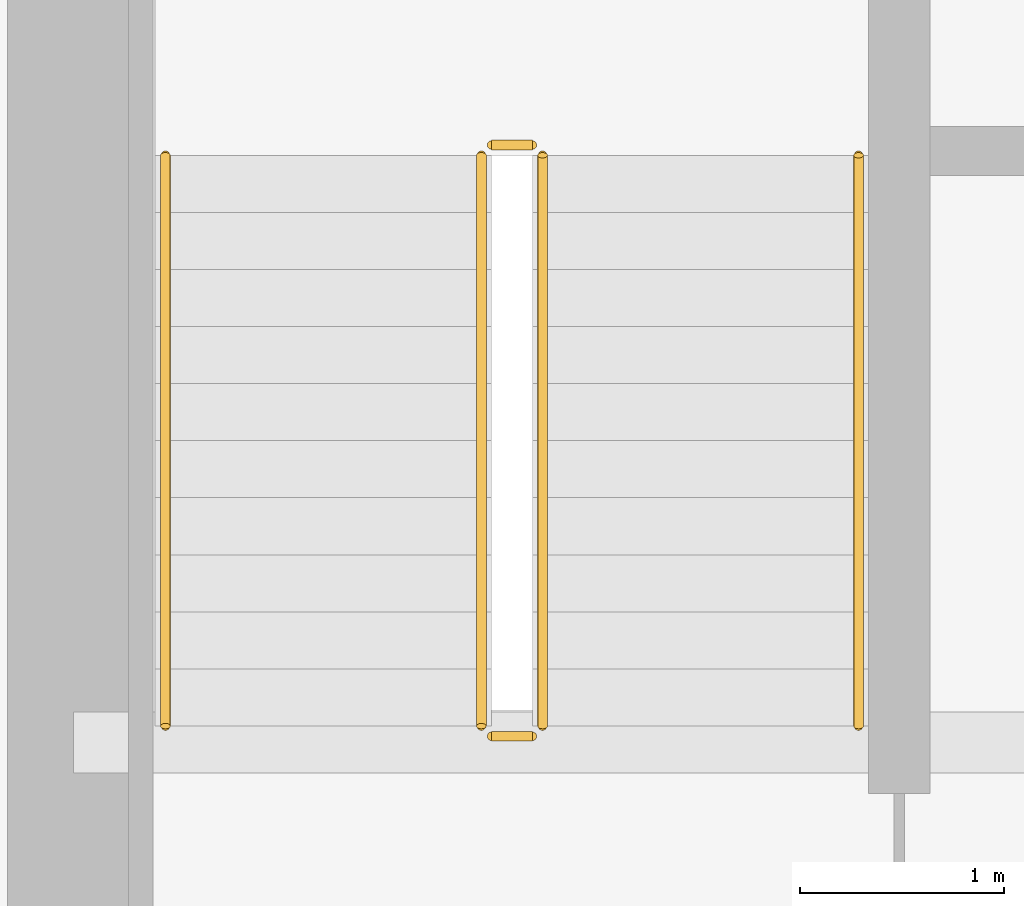
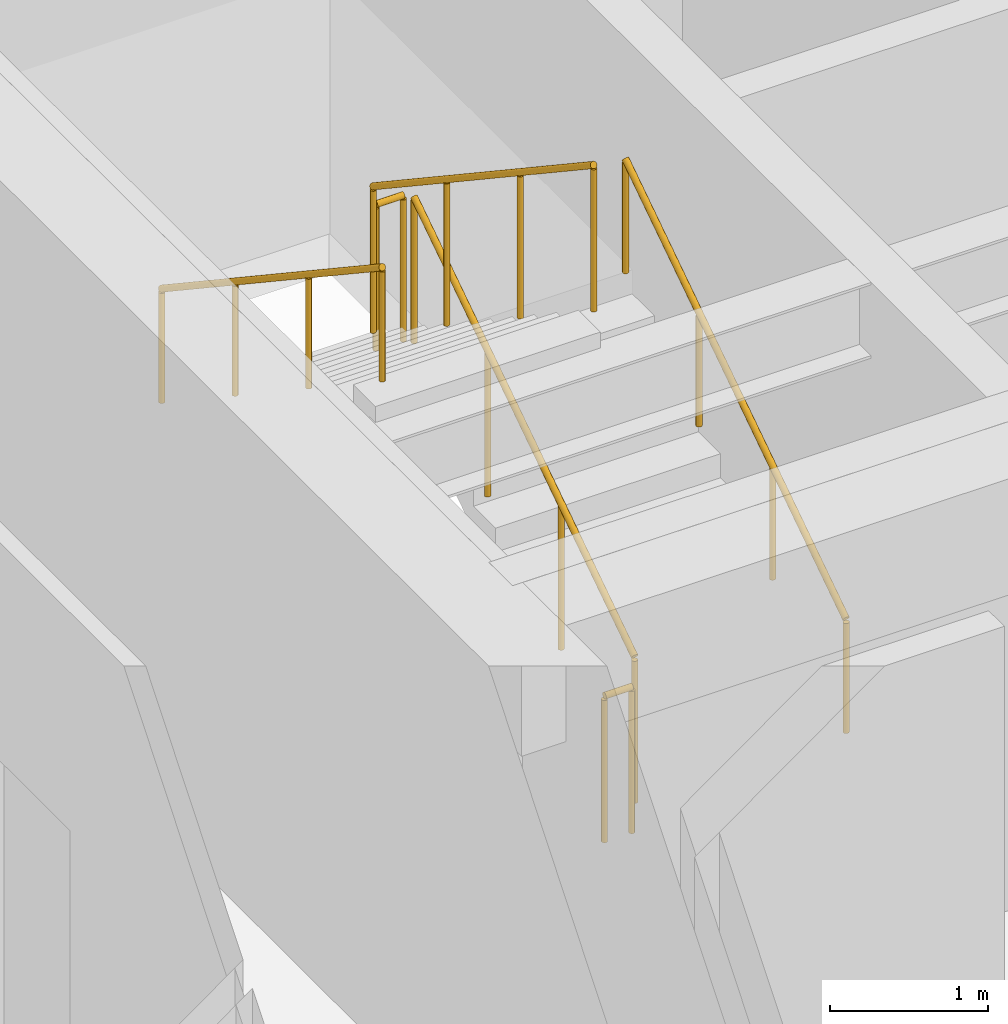
# One storey, part 30 of 31: 6 railings.
"""IFC4 building model written with IfcOpenShell, lengths in metres."""

import ifcopenshell
import ifcopenshell.guid

model = None  # the IFC model being written
_history = None  # IfcOwnerHistory: only IFC2X3 demands one
_inside = {}  # id of a spatial element -> (the spatial element, [elements in it])
_under = {}  # id of a project, library or spatial element -> (it, [spatial elements below it])
_declared = {}  # id of a project -> (the project, [libraries it declares])
_typed = {}  # id of a type object -> (the type object, [elements of that type])
_made_of = {}  # id of a material, layer set ... -> (it, [elements and type objects made of it])


def new_model(schema):
    """Start an empty IFC model of exactly this schema.

    Asked for "IFC4X3", IfcOpenShell would pick the latest addendum, in which some entities
    have other attributes; the version numbers below select the first issue.
    IFC2X3 requires an IfcOwnerHistory on every rooted entity: one is made here for all.
    """
    global model, _history
    if schema == "IFC4X3":
        model = ifcopenshell.file(schema_version=(4, 3, 0, 0))
    else:
        model = ifcopenshell.file(schema=schema)
    _inside.clear()
    _under.clear()
    _declared.clear()
    _typed.clear()
    _made_of.clear()
    _history = None
    if model.schema == "IFC2X3":
        org = make("IfcOrganization", Name="unknown")
        user = make(
            "IfcPersonAndOrganization",
            ThePerson=make("IfcPerson", FamilyName="unknown"),
            TheOrganization=org,
        )
        app = make(
            "IfcApplication",
            ApplicationDeveloper=org,
            Version="unknown",
            ApplicationFullName="unknown",
            ApplicationIdentifier="unknown",
        )
        _history = make(
            "IfcOwnerHistory",
            OwningUser=user,
            OwningApplication=app,
            ChangeAction="ADDED",
            CreationDate=0,
        )
    return model


def make(cls, **values):
    """One entity of the class cls with the attributes given. An attribute that is None is left unset."""
    return model.create_entity(
        cls, **{name: value for name, value in values.items() if value is not None}
    )


def rooted(cls, **values):
    """An entity with a GlobalId (a new one), such as an element, a storey or a relation."""
    return make(cls, GlobalId=ifcopenshell.guid.new(), OwnerHistory=_history, **values)


def si_unit(unit_type, name, prefix=None):
    """IfcSIUnit, for example si_unit("LENGTHUNIT", "METRE", prefix="MILLI")."""
    return make("IfcSIUnit", UnitType=unit_type, Prefix=prefix, Name=name)


def assignment(units):
    """IfcUnitAssignment: the units of a project."""
    return None if units is None else make("IfcUnitAssignment", Units=units)


def point(xyz):
    """IfcCartesianPoint."""
    return None if xyz is None else make("IfcCartesianPoint", Coordinates=xyz)


def direction(xyz):
    """IfcDirection."""
    return None if xyz is None else make("IfcDirection", DirectionRatios=xyz)


def frame(location, z_axis=None, x_axis=None):
    """IfcAxis2Placement3D, a coordinate frame: its origin and axes. An axis left out is left unset."""
    return make(
        "IfcAxis2Placement3D",
        Location=point(location),
        Axis=direction(z_axis),
        RefDirection=direction(x_axis),
    )


def frame_2d(location, x_axis=None):
    """IfcAxis2Placement2D, a coordinate frame in the plane: its origin and x axis."""
    return make(
        "IfcAxis2Placement2D", Location=point(location), RefDirection=direction(x_axis)
    )


def origin():
    """The frame at (0, 0, 0) with its axes left unset."""
    return frame((0.0, 0.0, 0.0))


def origin_2d():
    """The frame at (0, 0) in the plane with its x axis left unset."""
    return frame_2d((0.0, 0.0))


def place(relative_to, where):
    """IfcLocalPlacement: puts the frame where relative to a parent placement (None: the world)."""
    return make(
        "IfcLocalPlacement", PlacementRelTo=relative_to, RelativePlacement=where
    )


def context(
    kind, dimensions, precision=None, world=None, true_north=None, identifier=None
):
    """IfcGeometricRepresentationContext, for example the 3D "Model" context."""
    return make(
        "IfcGeometricRepresentationContext",
        ContextIdentifier=identifier,
        ContextType=kind,
        CoordinateSpaceDimension=dimensions,
        Precision=precision,
        WorldCoordinateSystem=world,
        TrueNorth=true_north,
    )


def subcontext(parent, identifier, kind, view, scale=None):
    """IfcGeometricRepresentationSubContext, for example "Body" below "Model"."""
    return make(
        "IfcGeometricRepresentationSubContext",
        ContextIdentifier=identifier,
        ContextType=kind,
        ParentContext=parent,
        TargetScale=scale,
        TargetView=view,
    )


def project(units=None, contexts=None):
    """IfcProject with its units and contexts."""
    return rooted(
        "IfcProject",
        Name="project",
        RepresentationContexts=contexts,
        UnitsInContext=assignment(units),
    )


def spatial(cls, under=None, at=None, **own):
    """A site, building, storey or space (cls), placed at a placement, below another one or the project."""
    s = rooted(cls, ObjectPlacement=at, **own)
    if under is not None:
        _under.setdefault(under.id(), (under, []))[1].append(s)
    return s


def profile(cls, at=None, kind="AREA", **sizes):
    """A parametric profile (cls). Its sizes go by their IFC names, for example OverallWidth=200.0."""
    return make(cls, ProfileType=kind, Position=at, **sizes)


def circle(**sizes):
    """IfcCircleProfileDef."""
    return profile("IfcCircleProfileDef", **sizes)


def extrude(swept, where, along, depth):
    """IfcExtrudedAreaSolid: the profile swept, set in the frame where, extruded along a direction by depth."""
    return make(
        "IfcExtrudedAreaSolid",
        SweptArea=swept,
        Position=where,
        ExtrudedDirection=direction(along),
        Depth=depth,
    )


def shape(context_of_items, identifier, shape_type, items):
    """IfcShapeRepresentation: the items that make up one representation, for example the "Body"."""
    return make(
        "IfcShapeRepresentation",
        ContextOfItems=context_of_items,
        RepresentationIdentifier=identifier,
        RepresentationType=shape_type,
        Items=items,
    )


def source(mapping_origin, context_of_items, identifier, shape_type, items):
    """IfcRepresentationMap: a shape defined once, which mapped items show again and again."""
    return make(
        "IfcRepresentationMap",
        MappingOrigin=mapping_origin,
        MappedRepresentation=shape(context_of_items, identifier, shape_type, items),
    )


def transform(
    local_origin,
    x_axis=None,
    y_axis=None,
    z_axis=None,
    scale=None,
    scale2=None,
    scale3=None,
    uniform=True,
):
    """IfcCartesianTransformationOperator3D, or its non-uniform kind. x_axis, y_axis, z_axis: its Axis1, 2, 3."""
    if uniform:
        return make(
            "IfcCartesianTransformationOperator3D",
            Axis1=direction(x_axis),
            Axis2=direction(y_axis),
            LocalOrigin=point(local_origin),
            Scale=scale,
            Axis3=direction(z_axis),
        )
    return make(
        "IfcCartesianTransformationOperator3DnonUniform",
        Axis1=direction(x_axis),
        Axis2=direction(y_axis),
        LocalOrigin=point(local_origin),
        Scale=scale,
        Axis3=direction(z_axis),
        Scale2=scale2,
        Scale3=scale3,
    )


def mapped(mapping_source, mapping_target):
    """IfcMappedItem: shows the shape of a source again, moved by a transform."""
    return make(
        "IfcMappedItem", MappingSource=mapping_source, MappingTarget=mapping_target
    )


def material(Name=None, Category=None):
    """IfcMaterial."""
    return make("IfcMaterial", Name=Name, Category=Category)


def made_of(thing, what):
    """Note that an element or type object is made of a material, layer set ...; save() writes the relation."""
    if what is not None:
        _made_of.setdefault(what.id(), (what, []))[1].append(thing)
    return thing


def type_object(cls, material=None, **own):
    """A type object (cls), such as IfcWallType, which elements share."""
    return made_of(rooted(cls, **own), material)


def type_shapes(of_type, sources):
    """Give a type object the sources (RepresentationMaps) that its elements show as mapped items."""
    of_type.RepresentationMaps = sources


def element(
    cls,
    number,
    at=None,
    inside=None,
    cuts=None,
    type_object=None,
    material=None,
    context=None,
    identifier="Body",
    shape_type=None,
    held_by="IfcProductDefinitionShape",
    body=None,
    shapes=None,
    **own,
):
    """One element of the class cls, such as IfcWall. Its Tag is "e" and its number.

    at: its placement. inside: the storey or other place that contains it. cuts: it is an
    opening in that element (IfcRelVoidsElement). A single representation is given by context,
    identifier, shape_type and body (its items); several are given by shapes. held_by: the class
    of the entity that holds the representations. save() writes the other relations.
    """
    e = rooted(cls, Tag="e%d" % number, ObjectPlacement=at, **own)
    if body is not None:
        shapes = [shape(context, identifier, shape_type, body)]
    if shapes is not None:
        e.Representation = make(held_by, Representations=shapes)
    if inside is not None:
        _inside.setdefault(inside.id(), (inside, []))[1].append(e)
    if cuts is not None:
        rooted(
            "IfcRelVoidsElement", RelatingBuildingElement=cuts, RelatedOpeningElement=e
        )
    if type_object is not None:
        _typed.setdefault(type_object.id(), (type_object, []))[1].append(e)
    return made_of(e, material)


def aggregate(whole, parts):
    """IfcRelAggregates: a whole, such as a stair, and the parts it consists of."""
    return rooted("IfcRelAggregates", RelatingObject=whole, RelatedObjects=parts)


def save(model, path):
    """Write the relations noted so far, then the file.

    IfcRelAggregates (storeys below a building ...), IfcRelContainedInSpatialStructure (elements
    in a storey), IfcRelDefinesByType, IfcRelAssociatesMaterial and IfcRelDeclares: one each for
    every whole, place, type object, material and project.
    """
    for whole, parts in _under.values():
        aggregate(whole, parts)
    for where, things in _inside.values():
        rooted(
            "IfcRelContainedInSpatialStructure",
            RelatedElements=things,
            RelatingStructure=where,
        )
    for kind, things in _typed.values():
        rooted("IfcRelDefinesByType", RelatedObjects=things, RelatingType=kind)
    for what, things in _made_of.values():
        rooted("IfcRelAssociatesMaterial", RelatedObjects=things, RelatingMaterial=what)
    for by, libraries in _declared.values():
        rooted("IfcRelDeclares", RelatingContext=by, RelatedDefinitions=libraries)
    model.write(path)


model = new_model("IFC4")

# Units and contexts
model_context = context("Model", 3, precision=1e-05, world=origin(), true_north=direction((0.0, 1.0)))
body_context = subcontext(model_context, "Body", "Model", "MODEL_VIEW")
ifc_project = project(units=[si_unit("LENGTHUNIT", "METRE"), si_unit("AREAUNIT", "SQUARE_METRE"), si_unit("VOLUMEUNIT", "CUBIC_METRE"), si_unit("PLANEANGLEUNIT", "RADIAN"), si_unit("MASSUNIT", "GRAM", prefix="KILO")], contexts=[model_context])

# Site, building, storey
site_placement = place(None, origin())
site = spatial("IfcSite", under=ifc_project, at=site_placement, CompositionType="ELEMENT")
building_placement = place(site_placement, origin())
building = spatial("IfcBuilding", under=site, at=building_placement, Name="Haelvirn Gate Laboratories", CompositionType="ELEMENT")
storey_placement = place(building_placement, frame((0.0, 0.0, 154.300048828125)))
storey = spatial("IfcBuildingStorey", under=building, at=storey_placement, Name="L37", CompositionType="ELEMENT", Elevation=154.300048828125)

# Railings
ifc_material_1 = material(Name="Galvanised steel SM355 & stainless top rail", Category="steel")
railing_type_1 = type_object("IfcRailingType", Name="RL-GUARD-1150", PredefinedType="GUARDRAIL", material=ifc_material_1)
shared_shape_1 = source(origin(), body_context, "Body", "SweptSolid", [
    extrude(circle(Radius=0.02392578125, at=origin_2d()), frame((0.0, 0.0, 1.1259765625), z_axis=(-1.0, 0.0, 0.0), x_axis=(0.0, -1.0, 0.0)), (0.0, 0.0, 1.0), 0.199951171875),
    extrude(circle(Radius=0.02099609375, at=origin_2d()), origin(), (0.0, 0.0, 1.0), 1.101806640625),
    extrude(circle(Radius=0.02099609375, at=origin_2d()), frame((-0.199951171875, 0.0, 0.0)), (0.0, 0.0, 1.0), 1.101806640625),
])
for number, where, name in (
    (1, (9.64990234375, 29.550048828125, 2.050048828125), "L37 ST1 stair guard 2"),
    (2, (9.64990234375, 26.64990234375, 0.0), "L37 ST1 stair guard 4"),
):
    element("IfcRailing", number, at=place(storey_placement, frame(where)), inside=storey, type_object=railing_type_1, Name=name, PredefinedType="GUARDRAIL", context=body_context, shape_type="MappedRepresentation", body=[
        mapped(shared_shape_1, transform((0.0, 0.0, 0.0), scale=1.0)),
    ])
shared_shape_2 = source(origin(), body_context, "Body", "SweptSolid", [
    extrude(circle(Radius=0.02392578125, at=origin_2d()), frame((0.0, 0.0, 1.1259765625), z_axis=(0.0, 0.832452072856, 0.554097055034), x_axis=(-1.0, 0.0, 0.0)), (0.0, 0.0, 1.0), 3.363525390625),
    extrude(circle(Radius=0.02099609375, at=origin_2d()), origin(), (0.0, 0.0, 1.0), 1.101806640625),
    extrude(circle(Radius=0.02099609375, at=origin_2d()), frame((0.0, 0.933349609375, 0.621337890625)), (0.0, 0.0, 1.0), 1.101806640625),
    extrude(circle(Radius=0.02099609375, at=origin_2d()), frame((0.0, 1.86669921875, 1.242431640625)), (0.0, 0.0, 1.0), 1.101806640625),
    extrude(circle(Radius=0.02099609375, at=origin_2d()), frame((0.0, 2.800048828125, 1.86376953125)), (0.0, 0.0, 1.0), 1.101806640625),
])
railing_1_placement = place(storey_placement, frame((9.699951171875, 26.699951171875, 0.186279296875)))
element("IfcRailing", 3, at=railing_1_placement, inside=storey, type_object=railing_type_1, Name="L37 ST1 stair guard 1", PredefinedType="GUARDRAIL", context=body_context, shape_type="MappedRepresentation", body=[
    mapped(shared_shape_2, transform((0.0, 0.0, 0.0), scale=1.0)),
])
shared_shape_3 = source(origin(), body_context, "Body", "SweptSolid", [
    extrude(circle(Radius=0.02392578125, at=origin_2d()), frame((0.0, 0.0, 1.1259765625), z_axis=(0.0, -0.832485552168, 0.554046753832), x_axis=(1.0, 0.0, 0.0)), (0.0, 0.0, 1.0), 3.363525390625),
    extrude(circle(Radius=0.02099609375, at=origin_2d()), origin(), (0.0, 0.0, 1.0), 1.101806640625),
    extrude(circle(Radius=0.02099609375, at=origin_2d()), frame((0.0, -0.933349609375, 0.62109375)), (0.0, 0.0, 1.0), 1.101806640625),
    extrude(circle(Radius=0.02099609375, at=origin_2d()), frame((0.0, -1.86669921875, 1.242431640625)), (0.0, 0.0, 1.0), 1.101806640625),
    extrude(circle(Radius=0.02099609375, at=origin_2d()), frame((0.0, -2.800048828125, 1.863525390625)), (0.0, 0.0, 1.0), 1.101806640625),
])
type_shapes(railing_type_1, [shared_shape_1, shared_shape_2, shared_shape_3])
railing_2_placement = place(storey_placement, frame((9.39990234375, 29.5, 2.236328125)))
element("IfcRailing", 4, at=railing_2_placement, inside=storey, type_object=railing_type_1, Name="L37 ST1 stair guard 3", PredefinedType="GUARDRAIL", context=body_context, shape_type="MappedRepresentation", body=[
    mapped(shared_shape_3, transform((0.0, 0.0, 0.0), scale=1.0)),
])
ifc_material_2 = material(Name="Brushed stainless steel 316L", Category="steel")
railing_type_2 = type_object("IfcRailingType", Name="RL-HAND-920", PredefinedType="HANDRAIL", material=ifc_material_2)
shared_shape_4 = source(origin(), body_context, "Body", "SweptSolid", [
    extrude(circle(Radius=0.02392578125, at=origin_2d()), frame((0.0, 0.0, 0.8759765625), z_axis=(0.0, 0.832452072856, 0.554097055034), x_axis=(-1.0, 0.0, 0.0)), (0.0, 0.0, 1.0), 3.363525390625),
    extrude(circle(Radius=0.02099609375, at=origin_2d()), origin(), (0.0, 0.0, 1.0), 0.851806640625),
    extrude(circle(Radius=0.02099609375, at=origin_2d()), frame((0.0, 0.933349609375, 0.621337890625)), (0.0, 0.0, 1.0), 0.851806640625),
    extrude(circle(Radius=0.02099609375, at=origin_2d()), frame((0.0, 1.86669921875, 1.242431640625)), (0.0, 0.0, 1.0), 0.851806640625),
    extrude(circle(Radius=0.02099609375, at=origin_2d()), frame((0.0, 2.800048828125, 1.86376953125)), (0.0, 0.0, 1.0), 0.851806640625),
])
railing_3_placement = place(storey_placement, frame((11.25, 26.699951171875, 0.186279296875)))
element("IfcRailing", 5, at=railing_3_placement, inside=storey, type_object=railing_type_2, Name="L37 ST1 stair handrail 1", PredefinedType="HANDRAIL", context=body_context, shape_type="MappedRepresentation", body=[
    mapped(shared_shape_4, transform((0.0, 0.0, 0.0), scale=1.0)),
])
shared_shape_5 = source(origin(), body_context, "Body", "SweptSolid", [
    extrude(circle(Radius=0.02392578125, at=origin_2d()), frame((0.0, 0.0, 0.8759765625), z_axis=(0.0, -0.832485552168, 0.554046753832), x_axis=(1.0, 0.0, 0.0)), (0.0, 0.0, 1.0), 3.363525390625),
    extrude(circle(Radius=0.02099609375, at=origin_2d()), origin(), (0.0, 0.0, 1.0), 0.851806640625),
    extrude(circle(Radius=0.02099609375, at=origin_2d()), frame((0.0, -0.933349609375, 0.62109375)), (0.0, 0.0, 1.0), 0.851806640625),
    extrude(circle(Radius=0.02099609375, at=origin_2d()), frame((0.0, -1.86669921875, 1.242431640625)), (0.0, 0.0, 1.0), 0.851806640625),
    extrude(circle(Radius=0.02099609375, at=origin_2d()), frame((0.0, -2.800048828125, 1.863525390625)), (0.0, 0.0, 1.0), 0.851806640625),
])
type_shapes(railing_type_2, [shared_shape_4, shared_shape_5])
railing_4_placement = place(storey_placement, frame((7.85009765625, 29.5, 2.236328125)))
element("IfcRailing", 6, at=railing_4_placement, inside=storey, type_object=railing_type_2, Name="L37 ST1 stair handrail 2", PredefinedType="HANDRAIL", context=body_context, shape_type="MappedRepresentation", body=[
    mapped(shared_shape_5, transform((0.0, 0.0, 0.0), scale=1.0)),
])

save(model, "model.ifc")
